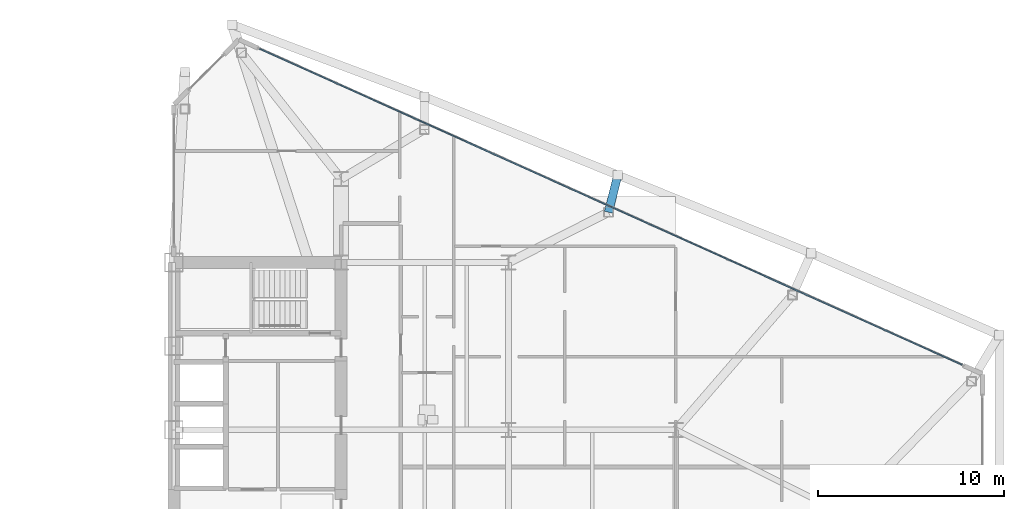
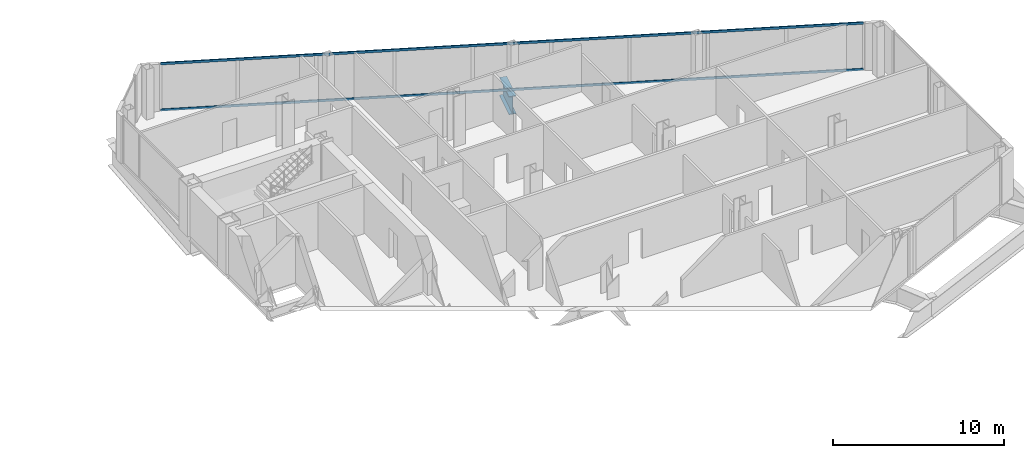
# One storey, part 15 of 29: 2 members, 1 beam, 1 element without a shape of its own.
"""IFC4 building model written with IfcOpenShell, lengths in metres."""

from ifc_helpers import new_model, si_unit, direction, frame, origin, origin_2d, place, context, subcontext, project, spatial, rectangle, i_section, extrude, source, transform, mapped, material, layer, layer_set, material_profile, profile_set, type_object, type_shapes, element, aggregate, save


model = new_model("IFC4")

# Units and contexts
model_context = context("Model", 3, precision=1e-05, world=origin(), true_north=direction((0.0, 1.0)))
body_context = subcontext(model_context, "Body", "Model", "MODEL_VIEW")
ifc_project = project(units=[si_unit("LENGTHUNIT", "METRE"), si_unit("AREAUNIT", "SQUARE_METRE"), si_unit("VOLUMEUNIT", "CUBIC_METRE"), si_unit("PLANEANGLEUNIT", "RADIAN"), si_unit("MASSUNIT", "GRAM", prefix="KILO")], contexts=[model_context])

# Site, building, storey
site_placement = place(None, origin())
site = spatial("IfcSite", under=ifc_project, at=site_placement, CompositionType="ELEMENT")
building_placement = place(site_placement, origin())
building = spatial("IfcBuilding", under=site, at=building_placement, Name="Seokmaru Belvedere", CompositionType="ELEMENT")
storey_placement = place(building_placement, frame((0.0, 0.0, 62.10009765625)))
storey = spatial("IfcBuildingStorey", under=building, at=storey_placement, Name="L16", CompositionType="ELEMENT", Elevation=62.10009765625)

# Beam
ifc_material_1 = material(Name="Steel HSA650 (650 MPa)", Category="steel")
ifc_material_profile_1 = material_profile(ifc_material_1, i_section(OverallWidth=0.449951171875, OverallDepth=1.300048828125, WebThickness=0.02197265625, FlangeThickness=0.0380859375, at=origin_2d()), Name="BH-1300x450x22x38")
ifc_profile_set_1 = profile_set([ifc_material_profile_1], Name="Steel HSA650 (650 MPa)")
beam_type = type_object("IfcBeamType", Name="Observatory Long-Span Roof Girder BH-1300", PredefinedType="BEAM", material=ifc_profile_set_1)
shared_shape_1 = source(origin(), body_context, "Body", "SweptSolid", [
    extrude(i_section(OverallWidth=0.449951171875, OverallDepth=1.300048828125, WebThickness=0.02197265625, FlangeThickness=0.0380859375, at=origin_2d()), origin(), (0.0, 0.0, 1.0), 2.06103515625),
])
type_shapes(beam_type, [shared_shape_1])
beam_placement = place(storey_placement, frame((51.378173828125, 18.2041015625, -0.8701171875), z_axis=(-0.244123913396, -0.96974404608, 0.0), x_axis=(0.96974404608, -0.244123913396, 0.0)))
element("IfcBeam", 1, at=beam_placement, inside=storey, type_object=beam_type, Name="L16 E Flank Setback Step Girder N-2", PredefinedType="BEAM", context=body_context, shape_type="MappedRepresentation", body=[
    mapped(shared_shape_1, transform((0.0, 0.0, 0.0), scale=1.0)),
])

# Curtain wall, members
ifc_material_2 = material(Name="Bronze Triple Insulating Glass", Category="glass")
ifc_layer = layer(ifc_material_2, 0.195068359375)
ifc_layer_set = layer_set([ifc_layer], Name="Bronze Triple Insulating Glass")
curtain_wall_type = type_object("IfcCurtainWallType", Name="Lower-Mid Tapered Curtain Wall System CW-3", PredefinedType="NOTDEFINED", material=ifc_layer_set)
curtain_wall_placement = place(storey_placement, origin())
curtain_wall = element("IfcCurtainWall", 2, at=curtain_wall_placement, inside=storey, type_object=curtain_wall_type, Name="L16 Curtain Wall EF3", PredefinedType="NOTDEFINED")
ifc_material_3 = material(Name="Anodised Bronze Aluminium", Category="aluminium")
ifc_material_profile_2 = material_profile(ifc_material_3, rectangle(XDim=0.070068359375, YDim=0.1650390625, at=origin_2d()), Name="CW-T-70x165")
ifc_profile_set_2 = profile_set([ifc_material_profile_2], Name="Anodised Bronze Aluminium")
member_type = type_object("IfcMemberType", Name="Bronze Unitised Transom 70x165", PredefinedType="USERDEFINED", material=ifc_profile_set_2)
shared_shape_2 = source(origin(), body_context, "Body", "SweptSolid", [
    extrude(rectangle(XDim=0.070068359375, YDim=0.1650390625, at=origin_2d()), origin(), (0.0, 0.0, 1.0), 41.423583984375),
])
type_shapes(member_type, [shared_shape_2])
member_1_placement = place(storey_placement, frame((69.887451171875, 8.00048828125, 0.034912109375), z_axis=(-0.911918637916, 0.410371048956, 0.0), x_axis=(-0.410371048956, -0.911918637916, 0.0)))
member_1 = element("IfcMember", 3, at=member_1_placement, type_object=member_type, Name="CW:L16:EF3 Continuous Transom 1", ObjectType="TRANSOM", PredefinedType="USERDEFINED", context=body_context, shape_type="MappedRepresentation", body=[
    mapped(shared_shape_2, transform((0.0, 0.0, 0.0), scale=1.0)),
])
member_2_placement = place(storey_placement, frame((69.887451171875, 8.00048828125, 3.344970703125), z_axis=(-0.911918637916, 0.410371048956, 0.0), x_axis=(-0.410371048956, -0.911918637916, 0.0)))
member_2 = element("IfcMember", 4, at=member_2_placement, type_object=member_type, Name="CW:L16:EF3 Continuous Transom 2", ObjectType="TRANSOM", PredefinedType="USERDEFINED", context=body_context, shape_type="MappedRepresentation", body=[
    mapped(shared_shape_2, transform((0.0, 0.0, 0.0), scale=1.0)),
])
aggregate(curtain_wall, [member_1, member_2])

save(model, "model.ifc")
